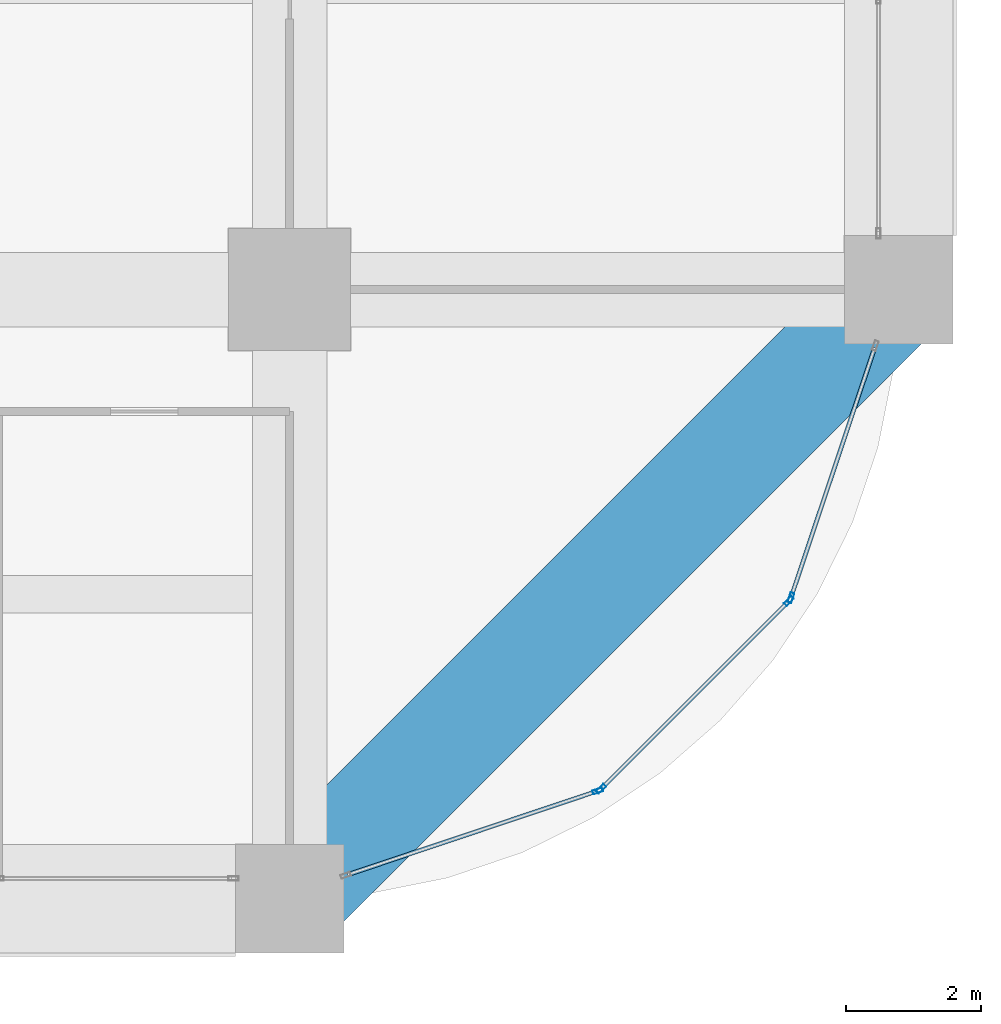
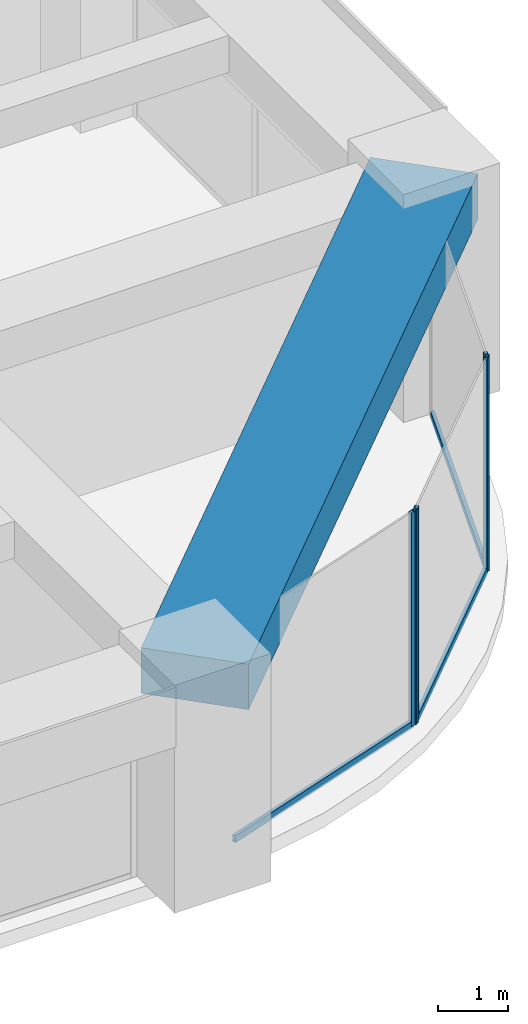
# One storey, part 17 of 43: 7 members, 1 beam, 3 elements without a shape of their own.
"""IFC4 building model written with IfcOpenShell, lengths in metres."""

from ifc_helpers import new_model, si_unit, direction, frame, origin, origin_2d, place, context, subcontext, project, spatial, rectangle, hollow_rectangle, extrude, material, material_profile, profile_set, type_object, element, aggregate, save


model = new_model("IFC4")

# Units and contexts
model_context = context("Model", 3, precision=1e-05, world=origin(), true_north=direction((0.0, 1.0)))
body_context = subcontext(model_context, "Body", "Model", "MODEL_VIEW")
ifc_project = project(units=[si_unit("LENGTHUNIT", "METRE"), si_unit("AREAUNIT", "SQUARE_METRE"), si_unit("VOLUMEUNIT", "CUBIC_METRE"), si_unit("PLANEANGLEUNIT", "RADIAN"), si_unit("MASSUNIT", "GRAM", prefix="KILO")], contexts=[model_context])

# Site, building, storey
site_placement = place(None, origin())
site = spatial("IfcSite", under=ifc_project, at=site_placement, CompositionType="ELEMENT")
building_placement = place(site_placement, origin())
building = spatial("IfcBuilding", under=site, at=building_placement, Name="Zorevar Civic Tower", CompositionType="ELEMENT")
storey_placement = place(building_placement, frame((0.0, 0.0, 141.0)))
storey = spatial("IfcBuildingStorey", under=building, at=storey_placement, Name="L34", CompositionType="ELEMENT", Elevation=141.0)

# Curtain wall, member
ifc_material_1 = material(Name="Dark grey solar-control glass in black aluminium frame", Category="aluminium")
curtain_wall_type = type_object("IfcCurtainWallType", Name="Curtain wall CW3 mid zone", PredefinedType="NOTDEFINED", material=ifc_material_1)
curtain_wall_1_placement = place(storey_placement, origin())
curtain_wall_1 = element("IfcCurtainWall", 1, at=curtain_wall_1_placement, inside=storey, type_object=curtain_wall_type, Name="CW3 L34", PredefinedType="NOTDEFINED")
ifc_material_2 = material(Name="Aluminium, black anodised", Category="aluminium")
ifc_material_profile_1 = material_profile(ifc_material_2, hollow_rectangle(XDim=0.06005859375, YDim=0.14990234375, WallThickness=0.00390625, at=origin_2d()), Name="AL 150x60x4")
ifc_profile_set_1 = profile_set([ifc_material_profile_1], Name="Aluminium, black anodised")
member_type_1 = type_object("IfcMemberType", Name="CW3 mullion AL 150x60x4", PredefinedType="MULLION", material=ifc_profile_set_1)
member_1_placement = place(storey_placement, frame((58.55078125, 1.59326171875, 0.0), z_axis=(0.0, 0.0, 1.0), x_axis=(-0.317592669603, 0.948227238701, 0.0)))
member_1 = element("IfcMember", 2, at=member_1_placement, type_object=member_type_1, Name="CW3 mullion 2", PredefinedType="MULLION", context=body_context, shape_type="SweptSolid", body=[
    extrude(hollow_rectangle(XDim=0.06005859375, YDim=0.14990234375, WallThickness=0.00390625, at=origin_2d()), origin(), (0.0, 0.0, 1.0), 3.75),
])

# Curtain wall, members
curtain_wall_2_placement = place(storey_placement, origin())
curtain_wall_2 = element("IfcCurtainWall", 3, at=curtain_wall_2_placement, inside=storey, type_object=curtain_wall_type, Name="CW3 L34", PredefinedType="NOTDEFINED")
member_2_placement = place(storey_placement, frame((58.600341796875, 1.6240234375, 0.0), z_axis=(0.0, 0.0, 1.0), x_axis=(-0.707106781187, 0.707106781187, 0.0)))
member_2 = element("IfcMember", 4, at=member_2_placement, type_object=member_type_1, Name="CW3 mullion 1", PredefinedType="MULLION", context=body_context, shape_type="SweptSolid", body=[
    extrude(hollow_rectangle(XDim=0.06005859375, YDim=0.14990234375, WallThickness=0.00390625, at=origin_2d()), origin(), (0.0, 0.0, 1.0), 3.75),
])
member_3_placement = place(storey_placement, frame((61.3759765625, 4.399658203125, 0.0), z_axis=(0.0, 0.0, 1.0), x_axis=(-0.707106781187, 0.707106781187, 0.0)))
member_3 = element("IfcMember", 5, at=member_3_placement, type_object=member_type_1, Name="CW3 mullion 2", PredefinedType="MULLION", context=body_context, shape_type="SweptSolid", body=[
    extrude(hollow_rectangle(XDim=0.06005859375, YDim=0.14990234375, WallThickness=0.00390625, at=origin_2d()), origin(), (0.0, 0.0, 1.0), 3.75),
])

# Curtain wall, member
curtain_wall_3_placement = place(storey_placement, origin())
curtain_wall_3 = element("IfcCurtainWall", 6, at=curtain_wall_3_placement, inside=storey, type_object=curtain_wall_type, Name="CW3 L34", PredefinedType="NOTDEFINED")
member_4_placement = place(storey_placement, frame((61.40673828125, 4.44921875, 0.0), z_axis=(0.0, 0.0, 1.0), x_axis=(-0.948227238701, 0.317592669603, 0.0)))
member_4 = element("IfcMember", 7, at=member_4_placement, type_object=member_type_1, Name="CW3 mullion 1", PredefinedType="MULLION", context=body_context, shape_type="SweptSolid", body=[
    extrude(hollow_rectangle(XDim=0.06005859375, YDim=0.14990234375, WallThickness=0.00390625, at=origin_2d()), origin(), (0.0, 0.0, 1.0), 3.75),
])

# Member
ifc_material_3 = material(Name="Aluminium, black anodised", Category="aluminium")
ifc_material_profile_2 = material_profile(ifc_material_3, hollow_rectangle(XDim=0.06005859375, YDim=0.1201171875, WallThickness=0.0029296875, at=origin_2d()), Name="AL 120x60x3")
ifc_profile_set_2 = profile_set([ifc_material_profile_2], Name="Aluminium, black anodised")
member_type_2 = type_object("IfcMemberType", Name="CW3 transom AL 120x60x3", PredefinedType="USERDEFINED", material=ifc_profile_set_2)
member_5_placement = place(storey_placement, frame((54.85693359375, 0.35595703125, 0.030029296875), z_axis=(0.94821488093, 0.317629563458, 0.0), x_axis=(-0.317629563458, 0.94821488093, 0.0)))
member_5 = element("IfcMember", 8, at=member_5_placement, type_object=member_type_2, Name="CW3 sill transom", ObjectType="TRANSOM", PredefinedType="USERDEFINED", context=body_context, shape_type="SweptSolid", body=[
    extrude(hollow_rectangle(XDim=0.06005859375, YDim=0.1201171875, WallThickness=0.0029296875, at=origin_2d()), origin(), (0.0, 0.0, 1.0), 3.865478515625),
])

aggregate(curtain_wall_1, [member_1, member_5])

member_6_placement = place(storey_placement, frame((58.62158203125, 1.64501953125, 0.030029296875), z_axis=(0.707106781187, 0.707106781187, 0.0), x_axis=(-0.707106781187, 0.707106781187, 0.0)))
member_6 = element("IfcMember", 9, at=member_6_placement, type_object=member_type_2, Name="CW3 sill transom", ObjectType="TRANSOM", PredefinedType="USERDEFINED", context=body_context, shape_type="SweptSolid", body=[
    extrude(hollow_rectangle(XDim=0.06005859375, YDim=0.1201171875, WallThickness=0.0029296875, at=origin_2d()), origin(), (0.0, 0.0, 1.0), 3.86572265625),
])

aggregate(curtain_wall_2, [member_2, member_3, member_6])

member_7_placement = place(storey_placement, frame((61.416259765625, 4.477783203125, 0.030029296875), z_axis=(0.317629563458, 0.94821488093, 0.0), x_axis=(-0.94821488093, 0.317629563458, 0.0)))
member_7 = element("IfcMember", 10, at=member_7_placement, type_object=member_type_2, Name="CW3 sill transom", ObjectType="TRANSOM", PredefinedType="USERDEFINED", context=body_context, shape_type="SweptSolid", body=[
    extrude(hollow_rectangle(XDim=0.06005859375, YDim=0.1201171875, WallThickness=0.0029296875, at=origin_2d()), origin(), (0.0, 0.0, 1.0), 3.865478515625),
])

aggregate(curtain_wall_3, [member_4, member_7])

# Beam
ifc_material_4 = material(Name="Concrete C50/60", Category="concrete")
ifc_material_profile_3 = material_profile(ifc_material_4, rectangle(XDim=1.60009765625, YDim=0.800048828125, at=origin_2d()), Name="RC 1600x800")
ifc_profile_set_3 = profile_set([ifc_material_profile_3], Name="Concrete C50/60")
beam_type = type_object("IfcBeamType", Name="Edge beam RC 1600x800", PredefinedType="SPANDREL", material=ifc_profile_set_3)
beam_placement = place(storey_placement, frame((54.0, 0.0, 3.35009765625), z_axis=(0.707106781187, 0.707106781187, 0.0), x_axis=(-0.707106781187, 0.707106781187, 0.0)))
element("IfcBeam", 11, at=beam_placement, inside=storey, type_object=beam_type, Name="Corner edge beam L35", PredefinedType="SPANDREL", context=body_context, shape_type="SweptSolid", body=[
    extrude(rectangle(XDim=1.60009765625, YDim=0.800048828125, at=origin_2d()), origin(), (0.0, 0.0, 1.0), 12.72802734375),
])

save(model, "model.ifc")
